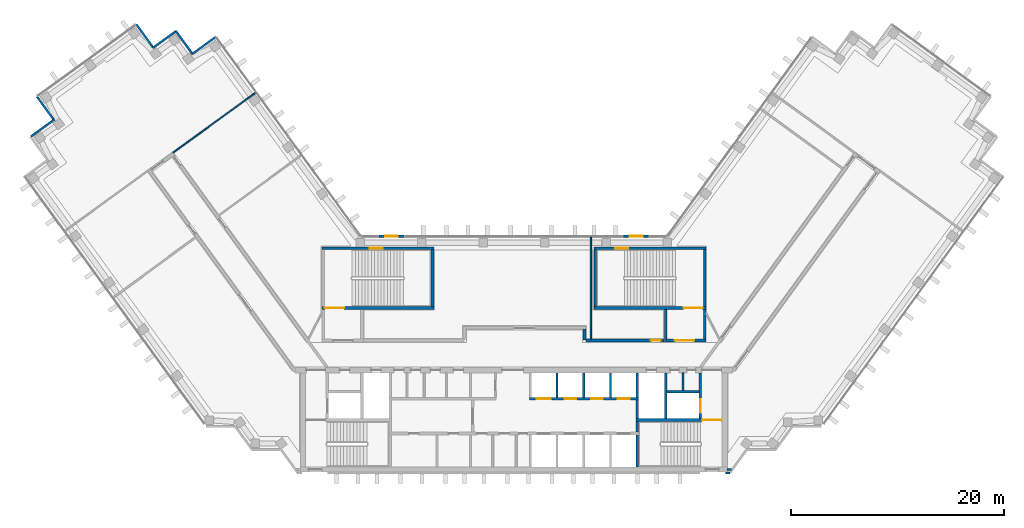
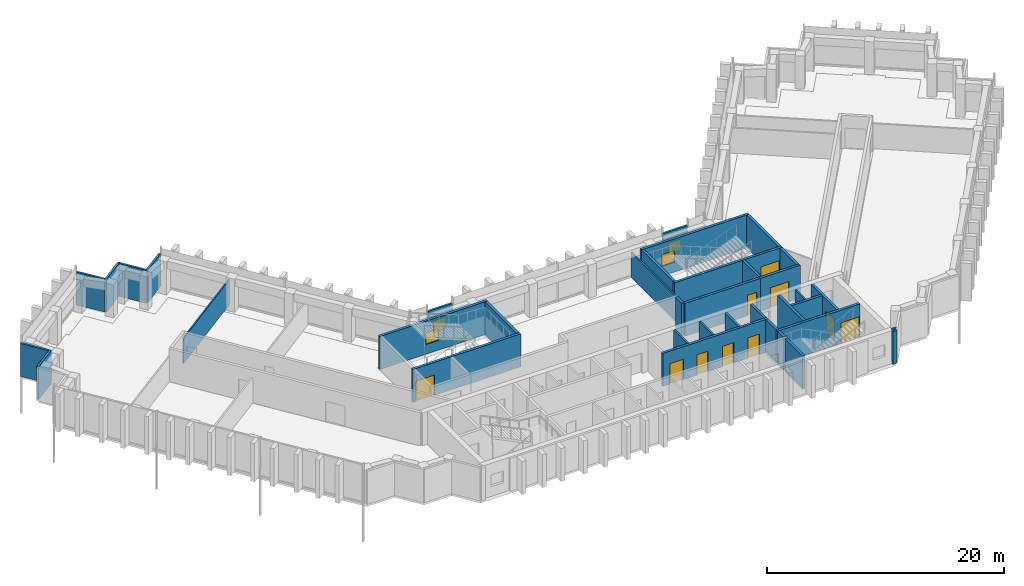
# One storey, part 9 of 13: 37 walls, 10 doors, 4 windows, 14 openings.
"""IFC4 building model written with IfcOpenShell, lengths in metres."""

from ifc_helpers import new_model, si_unit, direction, frame, frame_2d, origin, place, context, subcontext, project, spatial, rectangle, extrude, material, layer, layer_set, type_object, element, fill, save


model = new_model("IFC4")

# Units and contexts
model_context = context("Model", 3, precision=1e-05, world=origin(), true_north=direction((0.0, 1.0)))
body_context = subcontext(model_context, "Body", "Model", "MODEL_VIEW")
ifc_project = project(units=[si_unit("LENGTHUNIT", "METRE"), si_unit("AREAUNIT", "SQUARE_METRE"), si_unit("VOLUMEUNIT", "CUBIC_METRE"), si_unit("PLANEANGLEUNIT", "RADIAN"), si_unit("MASSUNIT", "GRAM", prefix="KILO")], contexts=[model_context])

# Site, building, storey
site_placement = place(None, origin())
site = spatial("IfcSite", under=ifc_project, at=site_placement, CompositionType="ELEMENT")
building_placement = place(site_placement, origin())
building = spatial("IfcBuilding", under=site, at=building_placement, Name="Quipu Civic Tower", CompositionType="ELEMENT")
storey_placement = place(building_placement, frame((0.0, 0.0, 184.0)))
storey = spatial("IfcBuildingStorey", under=building, at=storey_placement, Name="L43", CompositionType="ELEMENT", Elevation=184.0)

# Walls
ifc_material_1 = material(Name="Double gypsum plasterboard with mineral wool")
ifc_layer_1 = layer(ifc_material_1, 0.14990234375)
ifc_layer_set_1 = layer_set([ifc_layer_1], Name="Double gypsum plasterboard with mineral wool")
wall_type_1 = type_object("IfcWallType", Name="Acoustic partition 150 plasterboard", PredefinedType="PARTITIONING", material=ifc_layer_set_1)
wall_1_placement = place(storey_placement, frame((7.218017578125, 11.0, 0.0), z_axis=(0.0, 0.0, 1.0), x_axis=(0.0, -1.0, 0.0)))
element("IfcWall", 1, at=wall_1_placement, inside=storey, type_object=wall_type_1, Name="Partition P03", PredefinedType="PARTITIONING", context=body_context, shape_type="SweptSolid", body=[
    extrude(rectangle(XDim=9.550048828125, YDim=0.14990234375, at=frame_2d((4.77490234375, 0.0))), origin(), (0.0, 0.0, 1.0), 2.60009765625),
])
ifc_material_2 = material(Name="Concrete C70/85", Category="concrete")
ifc_layer_2 = layer(ifc_material_2, 0.25)
ifc_layer_set_2 = layer_set([ifc_layer_2], Name="Concrete C70/85")
wall_type_2 = type_object("IfcWallType", Name="Core wall 250", PredefinedType="SHEAR", material=ifc_layer_set_2)
wall_2_placement = place(storey_placement, frame((11.574951171875, -10.5, 0.0), z_axis=(0.0, 0.0, 1.0), x_axis=(0.0, 1.0, 0.0)))
element("IfcWall", 2, at=wall_2_placement, inside=storey, type_object=wall_type_2, Name="Core wall", PredefinedType="SHEAR", context=body_context, shape_type="SweptSolid", body=[
    extrude(rectangle(XDim=3.0, YDim=0.25, at=frame_2d((1.5, 0.0))), origin(), (0.0, 0.0, 1.0), 3.39990234375),
])
wall_3_placement = place(storey_placement, frame((11.574951171875, -7.25, 0.0), z_axis=(0.0, 0.0, 1.0), x_axis=(0.0, 1.0, 0.0)))
element("IfcWall", 3, at=wall_3_placement, inside=storey, type_object=wall_type_2, Name="Core wall", PredefinedType="SHEAR", context=body_context, shape_type="SweptSolid", body=[
    extrude(rectangle(XDim=1.0, YDim=0.25, at=frame_2d((0.5, 0.0))), origin(), (0.0, 0.0, 1.0), 3.39990234375),
])

# Wall, opening, door
wall_4_placement = place(storey_placement, frame((19.5, -6.125, 0.0), z_axis=(0.0, 0.0, 1.0), x_axis=(-1.0, 0.0, 0.0)))
wall_4 = element("IfcWall", 4, at=wall_4_placement, inside=storey, type_object=wall_type_2, Name="Core wall", PredefinedType="SHEAR", context=body_context, shape_type="SweptSolid", body=[
    extrude(rectangle(XDim=8.050048828125, YDim=0.25, at=frame_2d((4.02490234375, 0.0))), origin(), (0.0, 0.0, 1.0), 3.39990234375),
])
opening_1_placement = place(wall_4_placement, frame((0.050048828125, 0.0, 0.0)))
opening_1 = element("IfcOpeningElement", 5, at=opening_1_placement, cuts=wall_4, Name="Opening CD-07", PredefinedType="OPENING", context=body_context, shape_type="SweptSolid", body=[
    extrude(rectangle(XDim=1.800048828125, YDim=2.10009765625, at=frame_2d((0.89990234375, 1.050048828125))), frame((0.0, 0.135009765625, 0.0), z_axis=(0.0, -1.0, 0.0), x_axis=(1.0, 0.0, 0.0)), (0.0, 0.0, 1.0), 0.27001953125),
])
ifc_material_3 = material(Name="Fire rated steel door", Category="steel")
door_type_1 = type_object("IfcDoorType", Name="Fire door FD90 double 1800 x 2100", OperationType="NOTDEFINED", PredefinedType="DOOR", material=ifc_material_3)
door_1_placement = place(opening_1_placement, origin())
door_1 = element("IfcDoor", 6, at=door_1_placement, inside=storey, type_object=door_type_1, Name="Door", OperationType="DOUBLE_DOOR_SINGLE_SWING", OverallHeight=2.10009765625, OverallWidth=1.800048828125, PredefinedType="DOOR", context=body_context, shape_type="SweptSolid", body=[
    extrude(rectangle(XDim=1.800048828125, YDim=2.10009765625, at=frame_2d((0.89990234375, 1.050048828125))), frame((0.0, 0.02490234375, 0.0), z_axis=(0.0, -1.0, 0.0), x_axis=(1.0, 0.0, 0.0)), (0.0, 0.0, 1.0), 0.050048828125),
])
fill(opening_1, door_1)

# Walls
wall_5_placement = place(storey_placement, frame((11.574951171875, -6.0, 0.0), z_axis=(0.0, 0.0, 1.0), x_axis=(0.0, 1.0, 0.0)))
element("IfcWall", 7, at=wall_5_placement, inside=storey, type_object=wall_type_2, Name="Core wall", PredefinedType="SHEAR", context=body_context, shape_type="SweptSolid", body=[
    extrude(rectangle(XDim=1.75, YDim=0.25, at=frame_2d((0.875, 0.0))), origin(), (0.0, 0.0, 1.0), 3.39990234375),
])
wall_6_placement = place(storey_placement, frame((14.22509765625, -6.0, 0.0), z_axis=(0.0, 0.0, 1.0), x_axis=(0.0, 1.0, 0.0)))
element("IfcWall", 8, at=wall_6_placement, inside=storey, type_object=wall_type_2, Name="Core wall", PredefinedType="SHEAR", context=body_context, shape_type="SweptSolid", body=[
    extrude(rectangle(XDim=4.300048828125, YDim=0.25, at=frame_2d((2.14990234375, 0.0))), origin(), (0.0, 0.0, 1.0), 3.39990234375),
])

# Wall, opening, door
wall_7_placement = place(storey_placement, frame((17.47509765625, -6.0, 0.0), z_axis=(0.0, 0.0, 1.0), x_axis=(0.0, 1.0, 0.0)))
wall_7 = element("IfcWall", 9, at=wall_7_placement, inside=storey, type_object=wall_type_2, Name="Core wall", PredefinedType="SHEAR", context=body_context, shape_type="SweptSolid", body=[
    extrude(rectangle(XDim=4.300048828125, YDim=0.25, at=frame_2d((2.14990234375, 0.0))), origin(), (0.0, 0.0, 1.0), 3.39990234375),
])
opening_2_placement = place(wall_7_placement, frame((0.550048828125, 0.0, 0.0)))
opening_2 = element("IfcOpeningElement", 10, at=opening_2_placement, cuts=wall_7, Name="Opening LD-FF2", PredefinedType="OPENING", context=body_context, shape_type="SweptSolid", body=[
    extrude(rectangle(XDim=1.300048828125, YDim=2.10009765625, at=frame_2d((0.64990234375, 1.050048828125))), frame((0.0, 0.135009765625, 0.0), z_axis=(0.0, -1.0, 0.0), x_axis=(1.0, 0.0, 0.0)), (0.0, 0.0, 1.0), 0.27001953125),
])
ifc_material_4 = material(Name="Stainless steel", Category="steel")
door_type_2 = type_object("IfcDoorType", Name="Lift landing door 1300 x 2100", OperationType="DOUBLE_DOOR_SLIDING", PredefinedType="DOOR", material=ifc_material_4)
door_2_placement = place(opening_2_placement, origin())
door_2 = element("IfcDoor", 11, at=door_2_placement, inside=storey, type_object=door_type_2, Name="Landing door FF2", OperationType="DOUBLE_DOOR_SLIDING", OverallHeight=2.10009765625, OverallWidth=1.300048828125, PredefinedType="DOOR", context=body_context, shape_type="SweptSolid", body=[
    extrude(rectangle(XDim=1.300048828125, YDim=2.10009765625, at=frame_2d((0.64990234375, 1.050048828125))), frame((0.0, 0.02490234375, 0.0), z_axis=(0.0, -1.0, 0.0), x_axis=(1.0, 0.0, 0.0)), (0.0, 0.0, 1.0), 0.050048828125),
])
fill(opening_2, door_2)

# Wall, openings, doors
wall_8_placement = place(storey_placement, frame((1.449951171875, -4.125, 0.0), z_axis=(0.0, 0.0, 1.0), x_axis=(1.0, 0.0, 0.0)))
wall_8 = element("IfcWall", 12, at=wall_8_placement, inside=storey, type_object=wall_type_2, Name="Core wall", PredefinedType="SHEAR", context=body_context, shape_type="SweptSolid", body=[
    extrude(rectangle(XDim=10.25, YDim=0.25, at=frame_2d((5.125, 0.0))), origin(), (0.0, 0.0, 1.0), 3.39990234375),
])
opening_3_placement = place(wall_8_placement, frame((0.699951171875, 0.0, 0.0)))
opening_3 = element("IfcOpeningElement", 13, at=opening_3_placement, cuts=wall_8, Name="Opening LD-FF3", PredefinedType="OPENING", context=body_context, shape_type="SweptSolid", body=[
    extrude(rectangle(XDim=1.300048828125, YDim=2.10009765625, at=frame_2d((0.64990234375, 1.050048828125))), frame((0.0, 0.135009765625, 0.0), z_axis=(0.0, -1.0, 0.0), x_axis=(1.0, 0.0, 0.0)), (0.0, 0.0, 1.0), 0.27001953125),
])
opening_4_placement = place(wall_8_placement, frame((3.300048828125, 0.0, 0.0)))
opening_4 = element("IfcOpeningElement", 14, at=opening_4_placement, cuts=wall_8, Name="Opening LD-ML5", PredefinedType="OPENING", context=body_context, shape_type="SweptSolid", body=[
    extrude(rectangle(XDim=1.10009765625, YDim=2.10009765625, at=frame_2d((0.550048828125, 1.050048828125))), frame((0.0, 0.135009765625, 0.0), z_axis=(0.0, -1.0, 0.0), x_axis=(1.0, 0.0, 0.0)), (0.0, 0.0, 1.0), 0.27001953125),
])
opening_5_placement = place(wall_8_placement, frame((5.800048828125, 0.0, 0.0)))
opening_5 = element("IfcOpeningElement", 15, at=opening_5_placement, cuts=wall_8, Name="Opening LD-ML6", PredefinedType="OPENING", context=body_context, shape_type="SweptSolid", body=[
    extrude(rectangle(XDim=1.10009765625, YDim=2.10009765625, at=frame_2d((0.550048828125, 1.050048828125))), frame((0.0, 0.135009765625, 0.0), z_axis=(0.0, -1.0, 0.0), x_axis=(1.0, 0.0, 0.0)), (0.0, 0.0, 1.0), 0.27001953125),
])
opening_6_placement = place(wall_8_placement, frame((8.300048828125, 0.0, 0.0)))
opening_6 = element("IfcOpeningElement", 16, at=opening_6_placement, cuts=wall_8, Name="Opening LD-ML7", PredefinedType="OPENING", context=body_context, shape_type="SweptSolid", body=[
    extrude(rectangle(XDim=1.10009765625, YDim=2.10009765625, at=frame_2d((0.550048828125, 1.050048828125))), frame((0.0, 0.135009765625, 0.0), z_axis=(0.0, -1.0, 0.0), x_axis=(1.0, 0.0, 0.0)), (0.0, 0.0, 1.0), 0.27001953125),
])
ifc_material_5 = material(Name="Stainless steel", Category="steel")
door_type_3 = type_object("IfcDoorType", Name="Lift landing door 1100 x 2100", OperationType="DOUBLE_DOOR_SLIDING", PredefinedType="DOOR", material=ifc_material_5)
door_3_placement = place(opening_4_placement, origin())
door_3 = element("IfcDoor", 17, at=door_3_placement, inside=storey, type_object=door_type_3, Name="Landing door ML5", OperationType="DOUBLE_DOOR_SLIDING", OverallHeight=2.10009765625, OverallWidth=1.10009765625, PredefinedType="DOOR", context=body_context, shape_type="SweptSolid", body=[
    extrude(rectangle(XDim=1.10009765625, YDim=2.10009765625, at=frame_2d((0.550048828125, 1.050048828125))), frame((0.0, 0.02490234375, 0.0), z_axis=(0.0, -1.0, 0.0), x_axis=(1.0, 0.0, 0.0)), (0.0, 0.0, 1.0), 0.050048828125),
])
fill(opening_4, door_3)
door_4_placement = place(opening_5_placement, origin())
door_4 = element("IfcDoor", 18, at=door_4_placement, inside=storey, type_object=door_type_3, Name="Landing door ML6", OperationType="DOUBLE_DOOR_SLIDING", OverallHeight=2.10009765625, OverallWidth=1.10009765625, PredefinedType="DOOR", context=body_context, shape_type="SweptSolid", body=[
    extrude(rectangle(XDim=1.10009765625, YDim=2.10009765625, at=frame_2d((0.550048828125, 1.050048828125))), frame((0.0, 0.02490234375, 0.0), z_axis=(0.0, -1.0, 0.0), x_axis=(1.0, 0.0, 0.0)), (0.0, 0.0, 1.0), 0.050048828125),
])
fill(opening_5, door_4)
door_5_placement = place(opening_6_placement, origin())
door_5 = element("IfcDoor", 19, at=door_5_placement, inside=storey, type_object=door_type_3, Name="Landing door ML7", OperationType="DOUBLE_DOOR_SLIDING", OverallHeight=2.10009765625, OverallWidth=1.10009765625, PredefinedType="DOOR", context=body_context, shape_type="SweptSolid", body=[
    extrude(rectangle(XDim=1.10009765625, YDim=2.10009765625, at=frame_2d((0.550048828125, 1.050048828125))), frame((0.0, 0.02490234375, 0.0), z_axis=(0.0, -1.0, 0.0), x_axis=(1.0, 0.0, 0.0)), (0.0, 0.0, 1.0), 0.050048828125),
])
fill(opening_6, door_5)
door_6_placement = place(opening_3_placement, origin())
door_6 = element("IfcDoor", 20, at=door_6_placement, inside=storey, type_object=door_type_2, Name="Landing door FF3", OperationType="DOUBLE_DOOR_SLIDING", OverallHeight=2.10009765625, OverallWidth=1.300048828125, PredefinedType="DOOR", context=body_context, shape_type="SweptSolid", body=[
    extrude(rectangle(XDim=1.300048828125, YDim=2.10009765625, at=frame_2d((0.64990234375, 1.050048828125))), frame((0.0, 0.02490234375, 0.0), z_axis=(0.0, -1.0, 0.0), x_axis=(1.0, 0.0, 0.0)), (0.0, 0.0, 1.0), 0.050048828125),
])
fill(opening_3, door_6)

# Walls
wall_9_placement = place(storey_placement, frame((11.574951171875, -4.0, 0.0), z_axis=(0.0, 0.0, 1.0), x_axis=(0.0, 1.0, 0.0)))
element("IfcWall", 21, at=wall_9_placement, inside=storey, type_object=wall_type_2, Name="Core wall", PredefinedType="SHEAR", context=body_context, shape_type="SweptSolid", body=[
    extrude(rectangle(XDim=2.300048828125, YDim=0.25, at=frame_2d((1.14990234375, 0.0))), origin(), (0.0, 0.0, 1.0), 3.39990234375),
])
wall_10_placement = place(storey_placement, frame((14.35009765625, -3.47509765625, 0.0), z_axis=(0.0, 0.0, 1.0), x_axis=(1.0, 0.0, 0.0)))
element("IfcWall", 22, at=wall_10_placement, inside=storey, type_object=wall_type_2, Name="Core wall", PredefinedType="SHEAR", context=body_context, shape_type="SweptSolid", body=[
    extrude(rectangle(XDim=3.0, YDim=0.25, at=frame_2d((1.5, 0.0))), origin(), (0.0, 0.0, 1.0), 3.39990234375),
])

# Wall, opening, door
wall_11_placement = place(storey_placement, frame((-18.0, 4.375, 0.0), z_axis=(0.0, 0.0, 1.0), x_axis=(1.0, 0.0, 0.0)))
wall_11 = element("IfcWall", 23, at=wall_11_placement, inside=storey, type_object=wall_type_2, Name="Core wall", PredefinedType="SHEAR", context=body_context, shape_type="SweptSolid", body=[
    extrude(rectangle(XDim=10.5, YDim=0.25, at=frame_2d((5.25, 0.0))), origin(), (0.0, 0.0, 1.0), 3.39990234375),
])
opening_7_placement = place(wall_11_placement, frame((0.300048828125, 0.0, 0.0)))
opening_7 = element("IfcOpeningElement", 24, at=opening_7_placement, cuts=wall_11, Name="Opening CD-23", PredefinedType="OPENING", context=body_context, shape_type="SweptSolid", body=[
    extrude(rectangle(XDim=1.800048828125, YDim=2.10009765625, at=frame_2d((0.89990234375, 1.050048828125))), frame((0.0, 0.135009765625, 0.0), z_axis=(0.0, -1.0, 0.0), x_axis=(1.0, 0.0, 0.0)), (0.0, 0.0, 1.0), 0.27001953125),
])
door_7_placement = place(opening_7_placement, origin())
door_7 = element("IfcDoor", 25, at=door_7_placement, inside=storey, type_object=door_type_1, Name="Door", OperationType="DOUBLE_DOOR_SINGLE_SWING", OverallHeight=2.10009765625, OverallWidth=1.800048828125, PredefinedType="DOOR", context=body_context, shape_type="SweptSolid", body=[
    extrude(rectangle(XDim=1.800048828125, YDim=2.10009765625, at=frame_2d((0.89990234375, 1.050048828125))), frame((0.0, 0.02490234375, 0.0), z_axis=(0.0, -1.0, 0.0), x_axis=(1.0, 0.0, 0.0)), (0.0, 0.0, 1.0), 0.050048828125),
])
fill(opening_7, door_7)

# Wall
wall_12_placement = place(storey_placement, frame((-7.625, 4.5, 0.0), z_axis=(0.0, 0.0, 1.0), x_axis=(0.0, 1.0, 0.0)))
element("IfcWall", 26, at=wall_12_placement, inside=storey, type_object=wall_type_2, Name="Core wall", PredefinedType="SHEAR", context=body_context, shape_type="SweptSolid", body=[
    extrude(rectangle(XDim=5.35009765625, YDim=0.25, at=frame_2d((2.675048828125, 0.0))), origin(), (0.0, 0.0, 1.0), 3.39990234375),
])

# Wall, opening, window
wall_13_placement = place(storey_placement, frame((-18.0, 9.97509765625, 0.0), z_axis=(0.0, 0.0, 1.0), x_axis=(1.0, 0.0, 0.0)))
wall_13 = element("IfcWall", 27, at=wall_13_placement, inside=storey, type_object=wall_type_2, Name="Core wall", PredefinedType="SHEAR", context=body_context, shape_type="SweptSolid", body=[
    extrude(rectangle(XDim=10.5, YDim=0.25, at=frame_2d((5.25, 0.0))), origin(), (0.0, 0.0, 1.0), 3.39990234375),
])
opening_8_placement = place(wall_13_placement, frame((4.5, 0.0, 1.0)))
opening_8 = element("IfcOpeningElement", 28, at=opening_8_placement, cuts=wall_13, Name="Opening SV-3", PredefinedType="OPENING", context=body_context, shape_type="SweptSolid", body=[
    extrude(rectangle(XDim=1.199951171875, YDim=1.199951171875, at=frame_2d((0.60009765625, 0.60009765625))), frame((0.0, 0.135009765625, 0.0), z_axis=(0.0, -1.0, 0.0), x_axis=(1.0, 0.0, 0.0)), (0.0, 0.0, 1.0), 0.27001953125),
])
ifc_material_6 = material(Name="Aluminium louvre", Category="aluminium")
window_type_1 = type_object("IfcWindowType", Name="Stair ventilation louvre 1200 x 1200", PartitioningType="SINGLE_PANEL", PredefinedType="WINDOW", material=ifc_material_6)
window_1_placement = place(opening_8_placement, origin())
window_1 = element("IfcWindow", 29, at=window_1_placement, inside=storey, type_object=window_type_1, Name="Stair ventilation opening", OverallHeight=1.199951171875, OverallWidth=1.199951171875, PartitioningType="SINGLE_PANEL", PredefinedType="WINDOW", context=body_context, shape_type="SweptSolid", body=[
    extrude(rectangle(XDim=1.199951171875, YDim=1.199951171875, at=frame_2d((0.60009765625, 0.60009765625))), frame((0.0, 0.030029296875, 0.0), z_axis=(0.0, -1.0, 0.0), x_axis=(1.0, 0.0, 0.0)), (0.0, 0.0, 1.0), 0.06005859375),
])
fill(opening_8, window_1)

# Wall, opening, door
wall_14_placement = place(storey_placement, frame((14.10009765625, 1.324951171875, 0.0), z_axis=(0.0, 0.0, 1.0), x_axis=(1.0, 0.0, 0.0)))
wall_14 = element("IfcWall", 30, at=wall_14_placement, inside=storey, type_object=wall_type_2, Name="Core wall", PredefinedType="SHEAR", context=body_context, shape_type="SweptSolid", body=[
    extrude(rectangle(XDim=3.89990234375, YDim=0.25, at=frame_2d((1.949951171875, 0.0))), origin(), (0.0, 0.0, 1.0), 3.39990234375),
])
opening_9_placement = place(wall_14_placement, frame((1.0, 0.0, 0.0)))
opening_9 = element("IfcOpeningElement", 31, at=opening_9_placement, cuts=wall_14, Name="Opening CD-24", PredefinedType="OPENING", context=body_context, shape_type="SweptSolid", body=[
    extrude(rectangle(XDim=1.800048828125, YDim=2.10009765625, at=frame_2d((0.89990234375, 1.050048828125))), frame((0.0, 0.135009765625, 0.0), z_axis=(0.0, -1.0, 0.0), x_axis=(1.0, 0.0, 0.0)), (0.0, 0.0, 1.0), 0.27001953125),
])
door_8_placement = place(opening_9_placement, origin())
door_8 = element("IfcDoor", 32, at=door_8_placement, inside=storey, type_object=door_type_1, Name="Lobby door", OperationType="DOUBLE_DOOR_SINGLE_SWING", OverallHeight=2.10009765625, OverallWidth=1.800048828125, PredefinedType="DOOR", context=body_context, shape_type="SweptSolid", body=[
    extrude(rectangle(XDim=1.800048828125, YDim=2.10009765625, at=frame_2d((0.89990234375, 1.050048828125))), frame((0.0, 0.02490234375, 0.0), z_axis=(0.0, -1.0, 0.0), x_axis=(1.0, 0.0, 0.0)), (0.0, 0.0, 1.0), 0.050048828125),
])
fill(opening_9, door_8)

# Walls
for number, where, z_axis, x_axis, name in (
    (33, (14.22509765625, 1.449951171875, 0.0), (0.0, 0.0, 1.0), (0.0, 1.0, 0.0), "Core wall"),
    (34, (17.875, 1.449951171875, 0.0), (0.0, 0.0, 1.0), (0.0, 1.0, 0.0), "Core wall"),
):
    element("IfcWall", number, at=place(storey_placement, frame(where, z_axis=z_axis, x_axis=x_axis)), inside=storey, type_object=wall_type_2, Name=name, PredefinedType="SHEAR", context=body_context, shape_type="SweptSolid", body=[
        extrude(rectangle(XDim=2.800048828125, YDim=0.25, at=frame_2d((1.39990234375, 0.0))), origin(), (0.0, 0.0, 1.0), 3.39990234375),
    ])

# Wall, opening, door
wall_15_placement = place(storey_placement, frame((7.5, 4.375, 0.0), z_axis=(0.0, 0.0, 1.0), x_axis=(1.0, 0.0, 0.0)))
wall_15 = element("IfcWall", 35, at=wall_15_placement, inside=storey, type_object=wall_type_2, Name="Core wall", PredefinedType="SHEAR", context=body_context, shape_type="SweptSolid", body=[
    extrude(rectangle(XDim=10.5, YDim=0.25, at=frame_2d((5.25, 0.0))), origin(), (0.0, 0.0, 1.0), 3.39990234375),
])
opening_10_placement = place(wall_15_placement, frame((8.39990234375, 0.0, 0.0)))
opening_10 = element("IfcOpeningElement", 36, at=opening_10_placement, cuts=wall_15, Name="Opening CD-25", PredefinedType="OPENING", context=body_context, shape_type="SweptSolid", body=[
    extrude(rectangle(XDim=1.800048828125, YDim=2.10009765625, at=frame_2d((0.89990234375, 1.050048828125))), frame((0.0, 0.135009765625, 0.0), z_axis=(0.0, -1.0, 0.0), x_axis=(1.0, 0.0, 0.0)), (0.0, 0.0, 1.0), 0.27001953125),
])
door_9_placement = place(opening_10_placement, origin())
door_9 = element("IfcDoor", 37, at=door_9_placement, inside=storey, type_object=door_type_1, Name="Door", OperationType="DOUBLE_DOOR_SINGLE_SWING", OverallHeight=2.10009765625, OverallWidth=1.800048828125, PredefinedType="DOOR", context=body_context, shape_type="SweptSolid", body=[
    extrude(rectangle(XDim=1.800048828125, YDim=2.10009765625, at=frame_2d((0.89990234375, 1.050048828125))), frame((0.0, 0.02490234375, 0.0), z_axis=(0.0, -1.0, 0.0), x_axis=(1.0, 0.0, 0.0)), (0.0, 0.0, 1.0), 0.050048828125),
])
fill(opening_10, door_9)

# Walls
for number, where, z_axis, x_axis, name in (
    (38, (7.625, 4.5, 0.0), (0.0, 0.0, 1.0), (0.0, 1.0, 0.0), "Core wall"),
    (39, (17.875, 4.5, 0.0), (0.0, 0.0, 1.0), (0.0, 1.0, 0.0), "Core wall"),
):
    element("IfcWall", number, at=place(storey_placement, frame(where, z_axis=z_axis, x_axis=x_axis)), inside=storey, type_object=wall_type_2, Name=name, PredefinedType="SHEAR", context=body_context, shape_type="SweptSolid", body=[
        extrude(rectangle(XDim=5.35009765625, YDim=0.25, at=frame_2d((2.675048828125, 0.0))), origin(), (0.0, 0.0, 1.0), 3.39990234375),
    ])

# Wall, opening, window
wall_16_placement = place(storey_placement, frame((7.5, 9.97509765625, 0.0), z_axis=(0.0, 0.0, 1.0), x_axis=(1.0, 0.0, 0.0)))
wall_16 = element("IfcWall", 40, at=wall_16_placement, inside=storey, type_object=wall_type_2, Name="Core wall", PredefinedType="SHEAR", context=body_context, shape_type="SweptSolid", body=[
    extrude(rectangle(XDim=10.5, YDim=0.25, at=frame_2d((5.25, 0.0))), origin(), (0.0, 0.0, 1.0), 3.39990234375),
])
opening_11_placement = place(wall_16_placement, frame((2.0, 0.0, 1.0)))
opening_11 = element("IfcOpeningElement", 41, at=opening_11_placement, cuts=wall_16, Name="Opening SV-4", PredefinedType="OPENING", context=body_context, shape_type="SweptSolid", body=[
    extrude(rectangle(XDim=1.199951171875, YDim=1.199951171875, at=frame_2d((0.60009765625, 0.60009765625))), frame((0.0, 0.135009765625, 0.0), z_axis=(0.0, -1.0, 0.0), x_axis=(1.0, 0.0, 0.0)), (0.0, 0.0, 1.0), 0.27001953125),
])
window_2_placement = place(opening_11_placement, origin())
window_2 = element("IfcWindow", 42, at=window_2_placement, inside=storey, type_object=window_type_1, Name="Stair ventilation opening", OverallHeight=1.199951171875, OverallWidth=1.199951171875, PartitioningType="SINGLE_PANEL", PredefinedType="WINDOW", context=body_context, shape_type="SweptSolid", body=[
    extrude(rectangle(XDim=1.199951171875, YDim=1.199951171875, at=frame_2d((0.60009765625, 0.60009765625))), frame((0.0, 0.030029296875, 0.0), z_axis=(0.0, -1.0, 0.0), x_axis=(1.0, 0.0, 0.0)), (0.0, 0.0, 1.0), 0.06005859375),
])
fill(opening_11, window_2)

# Wall
ifc_material_7 = material(Name="Concrete C50/60", Category="concrete")
ifc_layer_3 = layer(ifc_material_7, 0.25)
ifc_layer_set_3 = layer_set([ifc_layer_3], Name="Concrete C50/60")
wall_type_3 = type_object("IfcWallType", Name="Corridor wall 250 concrete", PredefinedType="SOLIDWALL", material=ifc_layer_set_3)
wall_17_placement = place(storey_placement, frame((6.625, 2.39990234375, 0.0), z_axis=(0.0, 0.0, 1.0), x_axis=(0.0, -1.0, 0.0)))
element("IfcWall", 43, at=wall_17_placement, inside=storey, type_object=wall_type_3, Name="Corridor wall C10", PredefinedType="SOLIDWALL", context=body_context, shape_type="SweptSolid", body=[
    extrude(rectangle(XDim=1.041259765625, YDim=0.25, at=frame_2d((0.5205078125, 0.0))), origin(), (0.0, 0.0, 1.0), 3.39990234375),
])

# Wall, opening, door
wall_18_placement = place(storey_placement, frame((6.753662109375, 1.324951171875, 0.0), z_axis=(0.0, 0.0, 1.0), x_axis=(1.0, 0.0, 0.0)))
wall_18 = element("IfcWall", 44, at=wall_18_placement, inside=storey, type_object=wall_type_3, Name="Corridor wall C11", PredefinedType="SOLIDWALL", context=body_context, shape_type="SweptSolid", body=[
    extrude(rectangle(XDim=7.33642578125, YDim=0.25, at=frame_2d((3.668212890625, 0.0))), origin(), (0.0, 0.0, 1.0), 3.39990234375),
])
opening_12_placement = place(wall_18_placement, frame((6.09619140625, 0.0, 0.0)))
opening_12 = element("IfcOpeningElement", 45, at=opening_12_placement, cuts=wall_18, Name="Opening D007", PredefinedType="OPENING", context=body_context, shape_type="SweptSolid", body=[
    extrude(rectangle(XDim=0.89990234375, YDim=2.10009765625, at=frame_2d((0.449951171875, 1.050048828125))), frame((0.0, 0.135009765625, 0.0), z_axis=(0.0, -1.0, 0.0), x_axis=(1.0, 0.0, 0.0)), (0.0, 0.0, 1.0), 0.27001953125),
])
ifc_material_8 = material(Name="Fire rated timber door set with metal frame", Category="wood")
door_type_4 = type_object("IfcDoorType", Name="Single door 900 x 2100 FD60", OperationType="NOTDEFINED", PredefinedType="DOOR", material=ifc_material_8)
door_10_placement = place(opening_12_placement, origin())
door_10 = element("IfcDoor", 46, at=door_10_placement, inside=storey, type_object=door_type_4, Name="Door D007", OperationType="SINGLE_SWING_RIGHT", OverallHeight=2.10009765625, OverallWidth=0.89990234375, PredefinedType="DOOR", context=body_context, shape_type="SweptSolid", body=[
    extrude(rectangle(XDim=0.89990234375, YDim=2.10009765625, at=frame_2d((0.449951171875, 1.050048828125))), frame((0.0, 0.02490234375, 0.0), z_axis=(0.0, -1.0, 0.0), x_axis=(1.0, 0.0, 0.0)), (0.0, 0.0, 1.0), 0.050048828125),
])
fill(opening_12, door_10)

# Walls
ifc_material_9 = material(Name="Gypsum plasterboard on light gauge framing")
ifc_layer_4 = layer(ifc_material_9, 0.1201171875)
ifc_layer_set_4 = layer_set([ifc_layer_4], Name="Gypsum plasterboard on light gauge framing")
wall_type_4 = type_object("IfcWallType", Name="Partition 120 plasterboard", PredefinedType="PARTITIONING", material=ifc_layer_set_4)
wall_19_placement = place(storey_placement, frame((-24.226318359375, 24.531494140625, 0.0), z_axis=(0.0, 0.0, 1.0), x_axis=(-0.80898585166, -0.587828114175, 0.0)))
element("IfcWall", 47, at=wall_19_placement, inside=storey, type_object=wall_type_4, Name="Partition P04", PredefinedType="PARTITIONING", context=body_context, shape_type="SweptSolid", body=[
    extrude(rectangle(XDim=9.550048828125, YDim=0.1201171875, at=frame_2d((4.77490234375, 0.0))), origin(), (0.0, 0.0, 1.0), 2.60009765625),
])
ifc_material_10 = material(Name="Gypsum board partition")
ifc_layer_5 = layer(ifc_material_10, 0.14990234375)
ifc_layer_set_5 = layer_set([ifc_layer_5], Name="Gypsum board partition")
wall_type_5 = type_object("IfcWallType", Name="Partition 150", PredefinedType="PARTITIONING", material=ifc_layer_set_5)
wall_20_placement = place(storey_placement, frame((15.85009765625, -3.35009765625, 0.0), z_axis=(0.0, 0.0, 1.0), x_axis=(0.0, 1.0, 0.0)))
element("IfcWall", 48, at=wall_20_placement, inside=storey, type_object=wall_type_5, Name="Partition", PredefinedType="PARTITIONING", context=body_context, shape_type="SweptSolid", body=[
    extrude(rectangle(XDim=1.650146484375, YDim=0.14990234375, at=frame_2d((0.8251953125, 0.0))), origin(), (0.0, 0.0, 1.0), 3.39990234375),
])
ifc_material_11 = material(Name="Precast concrete C40/50", Category="concrete")
wall_type_6 = type_object("IfcWallType", Name="Precast cladding wall", PredefinedType="SOLIDWALL", material=ifc_material_11)
for number, where, z_axis, x_axis, name in (
    (49, (-43.060791015625, 22.04296875, 0.0), (0.0, 0.0, 1.0), (-0.809033161865, -0.587762999008, 0.0), "Precast cladding wall L43 P01"),
    (50, (-27.92138671875, 29.787109375, 0.0), (0.0, 0.0, 1.0), (-0.809033161865, -0.587762999008, 0.0), "Precast cladding wall L43 P05"),
    (51, (-30.08349609375, 28.149169921875, 0.0), (0.0, 0.0, 1.0), (-0.587762999008, 0.809033161865, 0.0), "Precast cladding wall L43 P06"),
    (52, (-31.653564453125, 30.330810546875, 0.0), (0.0, 0.0, 1.0), (-0.809033161865, -0.587762999008, 0.0), "Precast cladding wall L43 P07"),
    (53, (-33.80078125, 28.785888671875, 0.0), (0.0, 0.0, 1.0), (-0.587762999008, 0.809033161865, 0.0), "Precast cladding wall L43 P08"),
    (54, (-44.699462890625, 24.20458984375, 0.0), (0.0, 0.0, 1.0), (0.587762999008, -0.809033161865, 0.0), "Precast cladding wall L43 P10"),
):
    element("IfcWall", number, at=place(storey_placement, frame(where, z_axis=z_axis, x_axis=x_axis)), inside=storey, type_object=wall_type_6, Name=name, PredefinedType="SOLIDWALL", context=body_context, shape_type="SweptSolid", body=[
        extrude(rectangle(XDim=2.699951171875, YDim=0.199951171875, at=frame_2d((1.35009765625, 0.0))), origin(), (0.0, 0.0, 1.0), 3.39990234375),
    ])
wall_21_placement = place(storey_placement, frame((19.85009765625, -11.087890625, 0.0), z_axis=(0.0, 0.0, 1.0), x_axis=(1.0, 0.0, 0.0)))
element("IfcWall", 55, at=wall_21_placement, inside=storey, type_object=wall_type_6, Name="Precast cladding wall L43 P19", PredefinedType="SOLIDWALL", context=body_context, shape_type="SweptSolid", body=[
    extrude(rectangle(XDim=0.40576171875, YDim=0.199951171875, at=frame_2d((0.202880859375, 0.0))), origin(), (0.0, 0.0, 1.0), 3.39990234375),
])

# Wall, opening, window
wall_22_placement = place(storey_placement, frame((12.655029296875, 11.10009765625, 0.0), z_axis=(0.0, 0.0, 1.0), x_axis=(-1.0, 0.0, 0.0)))
wall_22 = element("IfcWall", 56, at=wall_22_placement, inside=storey, type_object=wall_type_6, Name="Vent surround SF-L42-2", PredefinedType="SOLIDWALL", context=body_context, shape_type="SweptSolid", body=[
    extrude(rectangle(XDim=2.3916015625, YDim=0.199951171875, at=frame_2d((1.19580078125, 0.0))), origin(), (0.0, 0.0, 1.0), 3.39990234375),
])
opening_13_placement = place(wall_22_placement, frame((0.595703125, 0.0, 1.0)))
opening_13 = element("IfcOpeningElement", 57, at=opening_13_placement, cuts=wall_22, Name="Opening SF-L42-2", PredefinedType="OPENING", context=body_context, shape_type="SweptSolid", body=[
    extrude(rectangle(XDim=1.199951171875, YDim=1.199951171875, at=frame_2d((0.60009765625, 0.60009765625))), frame((0.0, 0.10986328125, 0.0), z_axis=(0.0, -1.0, 0.0), x_axis=(1.0, 0.0, 0.0)), (0.0, 0.0, 1.0), 0.219970703125),
])
ifc_material_12 = material(Name="Anodised aluminium louvre", Category="aluminium")
window_type_2 = type_object("IfcWindowType", Name="Stair vent louvre window P3", PartitioningType="SINGLE_PANEL", PredefinedType="WINDOW", material=ifc_material_12)
window_3_placement = place(opening_13_placement, origin())
window_3 = element("IfcWindow", 58, at=window_3_placement, inside=storey, type_object=window_type_2, Name="Stair vent louvre SF-L42-2", OverallHeight=1.199951171875, OverallWidth=1.199951171875, PartitioningType="SINGLE_PANEL", PredefinedType="WINDOW", context=body_context, shape_type="SweptSolid", body=[
    extrude(rectangle(XDim=1.199951171875, YDim=1.199951171875, at=frame_2d((0.60009765625, 0.60009765625))), frame((0.0, 0.030029296875, 0.0), z_axis=(0.0, -1.0, 0.0), x_axis=(1.0, 0.0, 0.0)), (0.0, 0.0, 1.0), 0.06005859375),
])
fill(opening_13, window_3)

wall_23_placement = place(storey_placement, frame((-10.263427734375, 11.10009765625, 0.0), z_axis=(0.0, 0.0, 1.0), x_axis=(-1.0, 0.0, 0.0)))
wall_23 = element("IfcWall", 59, at=wall_23_placement, inside=storey, type_object=wall_type_6, Name="Vent surround SF-L42-1", PredefinedType="SOLIDWALL", context=body_context, shape_type="SweptSolid", body=[
    extrude(rectangle(XDim=2.3916015625, YDim=0.199951171875, at=frame_2d((1.19580078125, 0.0))), origin(), (0.0, 0.0, 1.0), 3.39990234375),
])
opening_14_placement = place(wall_23_placement, frame((0.595703125, 0.0, 1.0)))
opening_14 = element("IfcOpeningElement", 60, at=opening_14_placement, cuts=wall_23, Name="Opening SF-L42-1", PredefinedType="OPENING", context=body_context, shape_type="SweptSolid", body=[
    extrude(rectangle(XDim=1.199951171875, YDim=1.199951171875, at=frame_2d((0.60009765625, 0.60009765625))), frame((0.0, 0.10986328125, 0.0), z_axis=(0.0, -1.0, 0.0), x_axis=(1.0, 0.0, 0.0)), (0.0, 0.0, 1.0), 0.219970703125),
])
window_4_placement = place(opening_14_placement, origin())
window_4 = element("IfcWindow", 61, at=window_4_placement, inside=storey, type_object=window_type_2, Name="Stair vent louvre SF-L42-1", OverallHeight=1.199951171875, OverallWidth=1.199951171875, PartitioningType="SINGLE_PANEL", PredefinedType="WINDOW", context=body_context, shape_type="SweptSolid", body=[
    extrude(rectangle(XDim=1.199951171875, YDim=1.199951171875, at=frame_2d((0.60009765625, 0.60009765625))), frame((0.0, 0.030029296875, 0.0), z_axis=(0.0, -1.0, 0.0), x_axis=(1.0, 0.0, 0.0)), (0.0, 0.0, 1.0), 0.06005859375),
])
fill(opening_14, window_4)

# Walls
wall_24_placement = place(storey_placement, frame((19.97998046875, -10.75, 0.0), z_axis=(0.0, 0.0, 1.0), x_axis=(1.0, 0.0, 0.0)))
element("IfcWall", 62, at=wall_24_placement, inside=storey, type_object=wall_type_6, Name="Precast cladding return L43 E", PredefinedType="SOLIDWALL", context=body_context, shape_type="SweptSolid", body=[
    extrude(rectangle(XDim=0.41650390625, YDim=0.199951171875, at=frame_2d((0.208251953125, 0.0))), origin(), (0.0, 0.0, 1.0), 3.39990234375),
])
ifc_material_13 = material(Name="Concrete C40/50", Category="concrete")
ifc_layer_6 = layer(ifc_material_13, 0.199951171875)
ifc_layer_set_6 = layer_set([ifc_layer_6], Name="Concrete C40/50")
wall_type_7 = type_object("IfcWallType", Name="Shaft wall 200", PredefinedType="SOLIDWALL", material=ifc_layer_set_6)
for number, where, z_axis, x_axis, name in (
    (63, (4.050048828125, -4.0, 0.0), (0.0, 0.0, 1.0), (0.0, 1.0, 0.0), "Shaft wall"),
    (64, (6.550048828125, -4.0, 0.0), (0.0, 0.0, 1.0), (0.0, 1.0, 0.0), "Shaft wall"),
    (65, (9.050048828125, -4.0, 0.0), (0.0, 0.0, 1.0), (0.0, 1.0, 0.0), "Shaft wall"),
):
    element("IfcWall", number, at=place(storey_placement, frame(where, z_axis=z_axis, x_axis=x_axis)), inside=storey, type_object=wall_type_7, Name=name, PredefinedType="SOLIDWALL", context=body_context, shape_type="SweptSolid", body=[
        extrude(rectangle(XDim=2.300048828125, YDim=0.199951171875, at=frame_2d((1.14990234375, 0.0))), origin(), (0.0, 0.0, 1.0), 3.39990234375),
    ])

save(model, "model.ifc")
